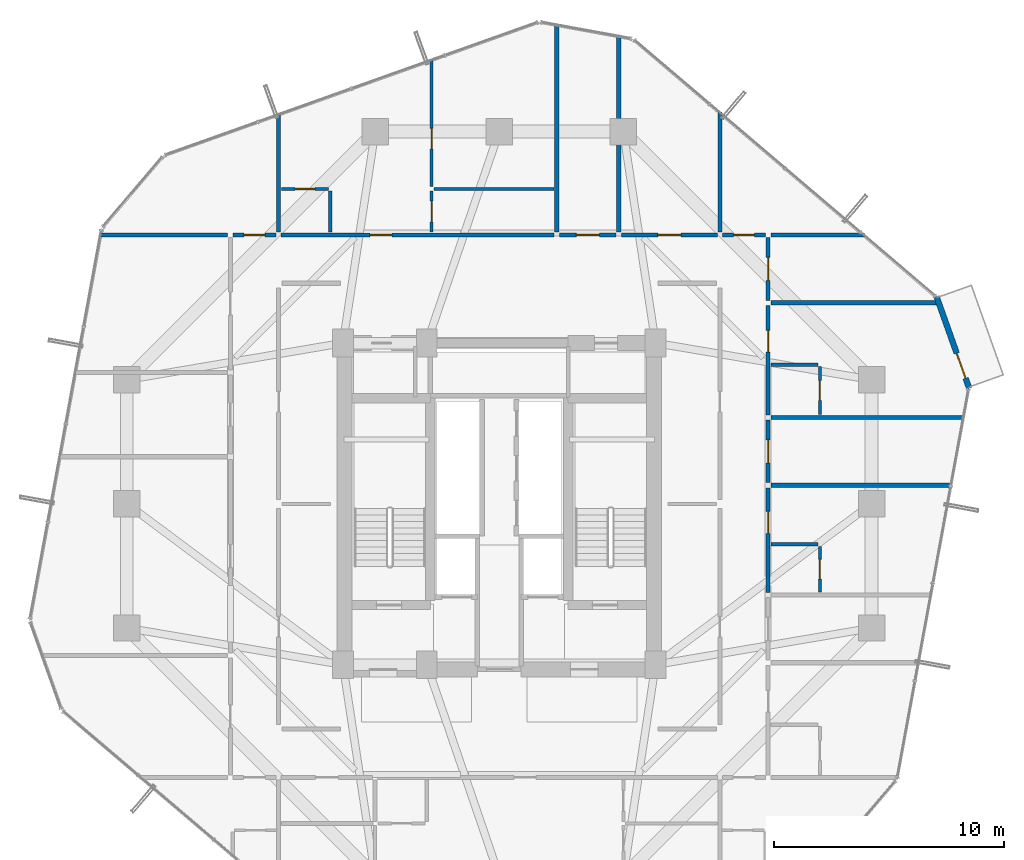
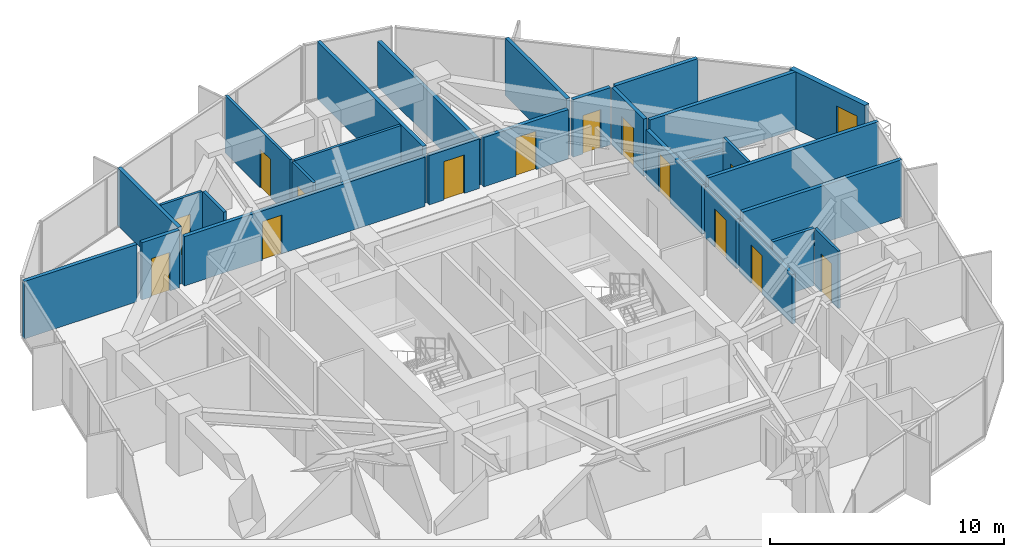
# One storey, part 30 of 33: 28 walls, 15 doors, 15 openings.
"""IFC4 building model written with IfcOpenShell, lengths in metres."""

from ifc_helpers import new_model, si_unit, direction, frame, frame_2d, origin, place, context, subcontext, project, spatial, rectangle, extrude, source, transform, mapped, material, layer, layer_set, type_object, element, fill, save


model = new_model("IFC4")

# Units and contexts
model_context = context("Model", 3, precision=1e-05, world=origin(), true_north=direction((0.0, 1.0)))
body_context = subcontext(model_context, "Body", "Model", "MODEL_VIEW")
ifc_project = project(units=[si_unit("LENGTHUNIT", "METRE"), si_unit("AREAUNIT", "SQUARE_METRE"), si_unit("VOLUMEUNIT", "CUBIC_METRE"), si_unit("PLANEANGLEUNIT", "RADIAN"), si_unit("MASSUNIT", "GRAM", prefix="KILO")], contexts=[model_context])

# Site, building, storey
site_placement = place(None, origin())
site = spatial("IfcSite", under=ifc_project, at=site_placement, CompositionType="ELEMENT")
building_placement = place(site_placement, origin())
building = spatial("IfcBuilding", under=site, at=building_placement, Name="Veraguas Prism Commons", CompositionType="ELEMENT")
storey_placement = place(building_placement, frame((0.0, 0.0, 92.699951171875)))
storey = spatial("IfcBuildingStorey", under=building, at=storey_placement, Name="L25", CompositionType="ELEMENT", Elevation=92.699951171875)

# Walls
ifc_material_1 = material(Name="Autoclaved aerated masonry block 10 MPa", Category="masonry")
ifc_layer_1 = layer(ifc_material_1, 0.179931640625, Name="Corridor and Inter-Tenancy Partition 180", Category="masonry")
ifc_layer_set_1 = layer_set([ifc_layer_1], Name="Autoclaved aerated masonry block 10 MPa")
wall_type_1 = type_object("IfcWallType", Name="Corridor and Inter-Tenancy Partition 180", PredefinedType="PARTITIONING", material=ifc_layer_set_1)
wall_1_placement = place(storey_placement, frame((14.39990234375, 35.820068359375, 0.0), z_axis=(0.0, 0.0, 1.0), x_axis=(0.0, 1.0, 0.0)))
element("IfcWall", 1, at=wall_1_placement, inside=storey, type_object=wall_type_1, Name="WL-L25-PT013", PredefinedType="PARTITIONING", context=body_context, shape_type="SweptSolid", body=[
    extrude(rectangle(XDim=5.15576171875, YDim=0.179931640625, at=frame_2d((2.577880859375, 0.0))), origin(), (0.0, 0.0, 1.0), 3.0),
])
wall_2_placement = place(storey_placement, frame((33.60009765625, 35.820068359375, 0.0), z_axis=(0.0, 0.0, 1.0), x_axis=(0.0, 1.0, 0.0)))
element("IfcWall", 2, at=wall_2_placement, inside=storey, type_object=wall_type_1, Name="WL-L25-PT014", PredefinedType="PARTITIONING", context=body_context, shape_type="SweptSolid", body=[
    extrude(rectangle(XDim=5.238037109375, YDim=0.179931640625, at=frame_2d((2.619140625, 0.0))), origin(), (0.0, 0.0, 1.0), 3.0),
])

# Wall, opening, door
wall_3_placement = place(storey_placement, frame((14.510009765625, 35.699951171875, 0.0), z_axis=(0.0, 0.0, 1.0), x_axis=(1.0, 0.0, 0.0)))
wall_3 = element("IfcWall", 3, at=wall_3_placement, inside=storey, type_object=wall_type_1, Name="WL-L25-PT015", PredefinedType="PARTITIONING", context=body_context, shape_type="SweptSolid", body=[
    extrude(rectangle(XDim=11.884033203125, YDim=0.179931640625, at=frame_2d((5.94189453125, 0.0))), origin(), (0.0, 0.0, 1.0), 2.580078125),
])
opening_1_placement = place(wall_3_placement, frame((3.868408203125, 0.0, 0.0)))
opening_1 = element("IfcOpeningElement", 4, at=opening_1_placement, cuts=wall_3, Name="Opening DR-01", PredefinedType="OPENING", context=body_context, shape_type="SweptSolid", body=[
    extrude(rectangle(XDim=0.949951171875, YDim=2.02001953125, at=frame_2d((0.47509765625, 1.010009765625))), frame((0.0, 0.099853515625, 0.0), z_axis=(0.0, -1.0, 0.0), x_axis=(1.0, 0.0, 0.0)), (0.0, 0.0, 1.0), 0.199951171875),
])
ifc_material_2 = material(Name="Anodised aluminium EN AW-6063 T6", Category="aluminium")
door_type_1 = type_object("IfcDoorType", Name="Apartment Entrance Fire Door 950x2020", OperationType="NOTDEFINED", PredefinedType="DOOR", material=ifc_material_2)
shared_shape_1 = source(origin(), body_context, "Body", "SweptSolid", [
    extrude(rectangle(XDim=0.949951171875, YDim=2.02001953125, at=frame_2d((0.47509765625, 1.010009765625))), frame((0.0, 0.02490234375, 0.0), z_axis=(0.0, -1.0, 0.0), x_axis=(1.0, 0.0, 0.0)), (0.0, 0.0, 1.0), 0.050048828125),
])
door_1_placement = place(opening_1_placement, origin())
door_1 = element("IfcDoor", 5, at=door_1_placement, inside=storey, type_object=door_type_1, Name="Flat 25B Entrance Door", OperationType="SINGLE_SWING_RIGHT", OverallHeight=2.02001953125, OverallWidth=0.949951171875, PredefinedType="DOOR", context=body_context, shape_type="MappedRepresentation", body=[
    mapped(shared_shape_1, transform((0.0, 0.0, 0.0), scale=1.0)),
])
fill(opening_1, door_1)

# Wall
wall_4_placement = place(storey_placement, frame((26.50390625, 35.820068359375, 0.0), z_axis=(0.0, 0.0, 1.0), x_axis=(0.0, 1.0, 0.0)))
element("IfcWall", 6, at=wall_4_placement, inside=storey, type_object=wall_type_1, Name="WL-L25-PT021", PredefinedType="PARTITIONING", context=body_context, shape_type="SweptSolid", body=[
    extrude(rectangle(XDim=9.052001953125, YDim=0.179931640625, at=frame_2d((4.52587890625, 0.0))), origin(), (0.0, 0.0, 1.0), 3.0),
])

# Wall, opening, door
wall_5_placement = place(storey_placement, frame((26.614013671875, 35.699951171875, 0.0), z_axis=(0.0, 0.0, 1.0), x_axis=(1.0, 0.0, 0.0)))
wall_5 = element("IfcWall", 7, at=wall_5_placement, inside=storey, type_object=wall_type_1, Name="WL-L25-PT022", PredefinedType="PARTITIONING", context=body_context, shape_type="SweptSolid", body=[
    extrude(rectangle(XDim=2.47607421875, YDim=0.179931640625, at=frame_2d((1.238037109375, 0.0))), origin(), (0.0, 0.0, 1.0), 2.580078125),
])
opening_2_placement = place(wall_5_placement, frame((0.738037109375, 0.0, 0.0)))
opening_2 = element("IfcOpeningElement", 8, at=opening_2_placement, cuts=wall_5, Name="Opening DR-13", PredefinedType="OPENING", context=body_context, shape_type="SweptSolid", body=[
    extrude(rectangle(XDim=1.0, YDim=2.010009765625, at=frame_2d((0.5, 1.0048828125))), frame((0.0, 0.099853515625, 0.0), z_axis=(0.0, -1.0, 0.0), x_axis=(1.0, 0.0, 0.0)), (0.0, 0.0, 1.0), 0.199951171875),
])
ifc_material_3 = material(Name="Steel fire-rated door assembly", Category="steel")
door_type_2 = type_object("IfcDoorType", Name="Core Accessible WC and Clinic Fire Door 1000x2010", OperationType="NOTDEFINED", PredefinedType="DOOR", material=ifc_material_3)
shared_shape_2 = source(origin(), body_context, "Body", "SweptSolid", [
    extrude(rectangle(XDim=1.0, YDim=2.010009765625, at=frame_2d((0.5, 1.0048828125))), frame((0.0, 0.02490234375, 0.0), z_axis=(0.0, -1.0, 0.0), x_axis=(1.0, 0.0, 0.0)), (0.0, 0.0, 1.0), 0.050048828125),
])
door_2_placement = place(opening_2_placement, origin())
door_2 = element("IfcDoor", 9, at=door_2_placement, inside=storey, type_object=door_type_2, Name="Residents Study Room Door", OperationType="SINGLE_SWING_RIGHT", OverallHeight=2.010009765625, OverallWidth=1.0, PredefinedType="DOOR", context=body_context, shape_type="MappedRepresentation", body=[
    mapped(shared_shape_2, transform((0.0, 0.0, 0.0), scale=1.0)),
])
fill(opening_2, door_2)

wall_6_placement = place(storey_placement, frame((29.31005859375, 35.699951171875, 0.0), z_axis=(0.0, 0.0, 1.0), x_axis=(1.0, 0.0, 0.0)))
wall_6 = element("IfcWall", 10, at=wall_6_placement, inside=storey, type_object=wall_type_1, Name="WL-L25-PT023", PredefinedType="PARTITIONING", context=body_context, shape_type="SweptSolid", body=[
    extrude(rectangle(XDim=4.179931640625, YDim=0.179931640625, at=frame_2d((2.08984375, 0.0))), origin(), (0.0, 0.0, 1.0), 2.580078125),
])
opening_3_placement = place(wall_6_placement, frame((1.590087890625, 0.0, 0.0)))
opening_3 = element("IfcOpeningElement", 11, at=opening_3_placement, cuts=wall_6, Name="Opening DR-13", PredefinedType="OPENING", context=body_context, shape_type="SweptSolid", body=[
    extrude(rectangle(XDim=1.0, YDim=2.010009765625, at=frame_2d((0.5, 1.0048828125))), frame((0.0, 0.099853515625, 0.0), z_axis=(0.0, -1.0, 0.0), x_axis=(1.0, 0.0, 0.0)), (0.0, 0.0, 1.0), 0.199951171875),
])
door_3_placement = place(opening_3_placement, origin())
door_3 = element("IfcDoor", 12, at=door_3_placement, inside=storey, type_object=door_type_2, Name="Co-op Store N Door", OperationType="SINGLE_SWING_LEFT", OverallHeight=2.010009765625, OverallWidth=1.0, PredefinedType="DOOR", context=body_context, shape_type="MappedRepresentation", body=[
    mapped(shared_shape_2, transform((0.0, 0.0, 0.0), scale=1.0)),
])
fill(opening_3, door_3)

# Walls
wall_7_placement = place(storey_placement, frame((29.199951171875, 35.820068359375, 0.0), z_axis=(0.0, 0.0, 1.0), x_axis=(0.0, 1.0, 0.0)))
element("IfcWall", 13, at=wall_7_placement, inside=storey, type_object=wall_type_1, Name="WL-L25-PT024", PredefinedType="PARTITIONING", context=body_context, shape_type="SweptSolid", body=[
    extrude(rectangle(XDim=8.55712890625, YDim=0.179931640625, at=frame_2d((4.278564453125, 0.0))), origin(), (0.0, 0.0, 1.0), 2.3779296875),
])
wall_8_placement = place(storey_placement, frame((12.179931640625, 35.699951171875, 0.0), z_axis=(0.0, 0.0, 1.0), x_axis=(-1.0, 0.0, 0.0)))
element("IfcWall", 14, at=wall_8_placement, inside=storey, type_object=wall_type_1, Name="WL-L25-PT026", PredefinedType="PARTITIONING", context=body_context, shape_type="SweptSolid", body=[
    extrude(rectangle(XDim=5.56591796875, YDim=0.179931640625, at=frame_2d((2.782958984375, 0.0))), origin(), (0.0, 0.0, 1.0), 3.0),
])
wall_9_placement = place(storey_placement, frame((35.820068359375, 35.699951171875, 0.0), z_axis=(0.0, 0.0, 1.0), x_axis=(1.0, 0.0, 0.0)))
element("IfcWall", 15, at=wall_9_placement, inside=storey, type_object=wall_type_1, Name="WL-L25-PT035", PredefinedType="PARTITIONING", context=body_context, shape_type="SweptSolid", body=[
    extrude(rectangle(XDim=4.075927734375, YDim=0.179931640625, at=frame_2d((2.0380859375, 0.0))), origin(), (0.0, 0.0, 1.0), 3.0),
])

# Wall, opening, door
wall_10_placement = place(storey_placement, frame((35.699951171875, 24.922119140625, 0.0), z_axis=(0.0, 0.0, 1.0), x_axis=(0.0, 1.0, 0.0)))
wall_10 = element("IfcWall", 16, at=wall_10_placement, inside=storey, type_object=wall_type_1, Name="WL-L25-PT042", PredefinedType="PARTITIONING", context=body_context, shape_type="SweptSolid", body=[
    extrude(rectangle(XDim=2.72998046875, YDim=0.179931640625, at=frame_2d((1.364990234375, 0.0))), origin(), (0.0, 0.0, 1.0), 2.580078125),
])
opening_4_placement = place(wall_10_placement, frame((0.864990234375, 0.0, 0.0)))
opening_4 = element("IfcOpeningElement", 17, at=opening_4_placement, cuts=wall_10, Name="Opening DR-13", PredefinedType="OPENING", context=body_context, shape_type="SweptSolid", body=[
    extrude(rectangle(XDim=1.0, YDim=2.010009765625, at=frame_2d((0.5, 1.0048828125))), frame((0.0, 0.099853515625, 0.0), z_axis=(0.0, -1.0, 0.0), x_axis=(1.0, 0.0, 0.0)), (0.0, 0.0, 1.0), 0.199951171875),
])
door_4_placement = place(opening_4_placement, origin())
door_4 = element("IfcDoor", 18, at=door_4_placement, inside=storey, type_object=door_type_2, Name="Quiet Study E Door", OperationType="SINGLE_SWING_LEFT", OverallHeight=2.010009765625, OverallWidth=1.0, PredefinedType="DOOR", context=body_context, shape_type="MappedRepresentation", body=[
    mapped(shared_shape_2, transform((0.0, 0.0, 0.0), scale=1.0)),
])
fill(opening_4, door_4)

# Wall
wall_11_placement = place(storey_placement, frame((35.820068359375, 24.81201171875, 0.0), z_axis=(0.0, 0.0, 1.0), x_axis=(1.0, 0.0, 0.0)))
element("IfcWall", 19, at=wall_11_placement, inside=storey, type_object=wall_type_1, Name="WL-L25-PT043", PredefinedType="PARTITIONING", context=body_context, shape_type="SweptSolid", body=[
    extrude(rectangle(XDim=7.8623046875, YDim=0.179931640625, at=frame_2d((3.93115234375, 0.0))), origin(), (0.0, 0.0, 1.0), 3.0),
])

# Wall, opening, door
wall_12_placement = place(storey_placement, frame((35.699951171875, 20.14794921875, 0.0), z_axis=(0.0, 0.0, 1.0), x_axis=(0.0, 1.0, 0.0)))
wall_12 = element("IfcWall", 20, at=wall_12_placement, inside=storey, type_object=wall_type_1, Name="WL-L25-PT044", PredefinedType="PARTITIONING", context=body_context, shape_type="SweptSolid", body=[
    extrude(rectangle(XDim=4.553955078125, YDim=0.179931640625, at=frame_2d((2.27685546875, 0.0))), origin(), (0.0, 0.0, 1.0), 2.580078125),
])
opening_5_placement = place(wall_12_placement, frame((2.571044921875, 0.0, 0.0)))
opening_5 = element("IfcOpeningElement", 21, at=opening_5_placement, cuts=wall_12, Name="Opening DR-01", PredefinedType="OPENING", context=body_context, shape_type="SweptSolid", body=[
    extrude(rectangle(XDim=0.949951171875, YDim=2.02001953125, at=frame_2d((0.47509765625, 1.010009765625))), frame((0.0, 0.099853515625, 0.0), z_axis=(0.0, -1.0, 0.0), x_axis=(1.0, 0.0, 0.0)), (0.0, 0.0, 1.0), 0.199951171875),
])
door_5_placement = place(opening_5_placement, origin())
door_5 = element("IfcDoor", 22, at=door_5_placement, inside=storey, type_object=door_type_1, Name="Studio 25D Entrance Door", OperationType="SINGLE_SWING_RIGHT", OverallHeight=2.02001953125, OverallWidth=0.949951171875, PredefinedType="DOOR", context=body_context, shape_type="MappedRepresentation", body=[
    mapped(shared_shape_1, transform((0.0, 0.0, 0.0), scale=1.0)),
])
fill(opening_5, door_5)

# Wall
wall_13_placement = place(storey_placement, frame((35.820068359375, 27.761962890625, 0.0), z_axis=(0.0, 0.0, 1.0), x_axis=(1.0, 0.0, 0.0)))
element("IfcWall", 23, at=wall_13_placement, inside=storey, type_object=wall_type_1, Name="WL-L25-PT047", PredefinedType="PARTITIONING", context=body_context, shape_type="SweptSolid", body=[
    extrude(rectangle(XDim=8.40380859375, YDim=0.179931640625, at=frame_2d((4.201904296875, 0.0))), origin(), (0.0, 0.0, 1.0), 3.0),
])

# Wall, opening, door
wall_14_placement = place(storey_placement, frame((35.699951171875, 32.860107421875, 0.0), z_axis=(0.0, 0.0, 1.0), x_axis=(0.0, 1.0, 0.0)))
wall_14 = element("IfcWall", 24, at=wall_14_placement, inside=storey, type_object=wall_type_1, Name="WL-L25-PT048", PredefinedType="PARTITIONING", context=body_context, shape_type="SweptSolid", body=[
    extrude(rectangle(XDim=2.72998046875, YDim=0.179931640625, at=frame_2d((1.364990234375, 0.0))), origin(), (0.0, 0.0, 1.0), 3.0),
])
opening_6_placement = place(wall_14_placement, frame((0.864990234375, 0.0, 0.0)))
opening_6 = element("IfcOpeningElement", 25, at=opening_6_placement, cuts=wall_14, Name="Opening DR-13", PredefinedType="OPENING", context=body_context, shape_type="SweptSolid", body=[
    extrude(rectangle(XDim=1.0, YDim=2.010009765625, at=frame_2d((0.5, 1.0048828125))), frame((0.0, 0.099853515625, 0.0), z_axis=(0.0, -1.0, 0.0), x_axis=(1.0, 0.0, 0.0)), (0.0, 0.0, 1.0), 0.199951171875),
])
door_6_placement = place(opening_6_placement, origin())
door_6 = element("IfcDoor", 26, at=door_6_placement, inside=storey, type_object=door_type_2, Name="Quiet Study E Door", OperationType="SINGLE_SWING_RIGHT", OverallHeight=2.010009765625, OverallWidth=1.0, PredefinedType="DOOR", context=body_context, shape_type="MappedRepresentation", body=[
    mapped(shared_shape_2, transform((0.0, 0.0, 0.0), scale=1.0)),
])
fill(opening_6, door_6)

# Wall
wall_15_placement = place(storey_placement, frame((35.820068359375, 32.75, 0.0), z_axis=(0.0, 0.0, 1.0), x_axis=(1.0, 0.0, 0.0)))
element("IfcWall", 27, at=wall_15_placement, inside=storey, type_object=wall_type_1, Name="WL-L25-PT049", PredefinedType="PARTITIONING", context=body_context, shape_type="SweptSolid", body=[
    extrude(rectangle(XDim=7.3359375, YDim=0.179931640625, at=frame_2d((3.66796875, 0.0))), origin(), (0.0, 0.0, 1.0), 3.0),
])

# Wall, opening, door
wall_16_placement = place(storey_placement, frame((35.699951171875, 27.8720703125, 0.0), z_axis=(0.0, 0.0, 1.0), x_axis=(0.0, 1.0, 0.0)))
wall_16 = element("IfcWall", 28, at=wall_16_placement, inside=storey, type_object=wall_type_1, Name="WL-L25-PT050", PredefinedType="PARTITIONING", context=body_context, shape_type="SweptSolid", body=[
    extrude(rectangle(XDim=4.767822265625, YDim=0.179931640625, at=frame_2d((2.3837890625, 0.0))), origin(), (0.0, 0.0, 1.0), 2.580078125),
])
opening_7_placement = place(wall_16_placement, frame((2.729248046875, 0.0, 0.0)))
opening_7 = element("IfcOpeningElement", 29, at=opening_7_placement, cuts=wall_16, Name="Opening DR-01", PredefinedType="OPENING", context=body_context, shape_type="SweptSolid", body=[
    extrude(rectangle(XDim=0.949951171875, YDim=2.02001953125, at=frame_2d((0.47509765625, 1.010009765625))), frame((0.0, 0.099853515625, 0.0), z_axis=(0.0, -1.0, 0.0), x_axis=(1.0, 0.0, 0.0)), (0.0, 0.0, 1.0), 0.199951171875),
])
door_7_placement = place(opening_7_placement, origin())
door_7 = element("IfcDoor", 30, at=door_7_placement, inside=storey, type_object=door_type_1, Name="Studio 25E Entrance Door", OperationType="SINGLE_SWING_LEFT", OverallHeight=2.02001953125, OverallWidth=0.949951171875, PredefinedType="DOOR", context=body_context, shape_type="MappedRepresentation", body=[
    mapped(shared_shape_1, transform((0.0, 0.0, 0.0), scale=1.0)),
])
fill(opening_7, door_7)

wall_17_placement = place(storey_placement, frame((12.419921875, 35.699951171875, 0.0), z_axis=(0.0, 0.0, 1.0), x_axis=(1.0, 0.0, 0.0)))
wall_17 = element("IfcWall", 31, at=wall_17_placement, inside=storey, type_object=wall_type_1, Name="WL-L25-PT061", PredefinedType="PARTITIONING", context=body_context, shape_type="SweptSolid", body=[
    extrude(rectangle(XDim=1.860107421875, YDim=0.179931640625, at=frame_2d((0.93017578125, 0.0))), origin(), (0.0, 0.0, 1.0), 3.0),
])
opening_8_placement = place(wall_17_placement, frame((0.47998046875, 0.0, 0.0)))
opening_8 = element("IfcOpeningElement", 32, at=opening_8_placement, cuts=wall_17, Name="Opening DR-14", PredefinedType="OPENING", context=body_context, shape_type="SweptSolid", body=[
    extrude(rectangle(XDim=0.89990234375, YDim=2.010009765625, at=frame_2d((0.449951171875, 1.0048828125))), frame((0.0, 0.099853515625, 0.0), z_axis=(0.0, -1.0, 0.0), x_axis=(1.0, 0.0, 0.0)), (0.0, 0.0, 1.0), 0.199951171875),
])
door_type_3 = type_object("IfcDoorType", Name="Core Service Room Fire Door 900x2010", OperationType="NOTDEFINED", PredefinedType="DOOR", material=ifc_material_3)
shared_shape_3 = source(origin(), body_context, "Body", "SweptSolid", [
    extrude(rectangle(XDim=0.89990234375, YDim=2.010009765625, at=frame_2d((0.449951171875, 1.0048828125))), frame((0.0, 0.02490234375, 0.0), z_axis=(0.0, -1.0, 0.0), x_axis=(1.0, 0.0, 0.0)), (0.0, 0.0, 1.0), 0.050048828125),
])
door_8_placement = place(opening_8_placement, origin())
door_8 = element("IfcDoor", 33, at=door_8_placement, inside=storey, type_object=door_type_3, Name="Residents Corner Study Room NW Door", OperationType="SINGLE_SWING_LEFT", OverallHeight=2.010009765625, OverallWidth=0.89990234375, PredefinedType="DOOR", context=body_context, shape_type="MappedRepresentation", body=[
    mapped(shared_shape_3, transform((0.0, 0.0, 0.0), scale=1.0)),
])
fill(opening_8, door_8)

wall_18_placement = place(storey_placement, frame((33.719970703125, 35.699951171875, 0.0), z_axis=(0.0, 0.0, 1.0), x_axis=(1.0, 0.0, 0.0)))
wall_18 = element("IfcWall", 34, at=wall_18_placement, inside=storey, type_object=wall_type_1, Name="WL-L25-PT062", PredefinedType="PARTITIONING", context=body_context, shape_type="SweptSolid", body=[
    extrude(rectangle(XDim=1.860107421875, YDim=0.179931640625, at=frame_2d((0.93017578125, 0.0))), origin(), (0.0, 0.0, 1.0), 3.0),
])
opening_9_placement = place(wall_18_placement, frame((0.47998046875, 0.0, 0.0)))
opening_9 = element("IfcOpeningElement", 35, at=opening_9_placement, cuts=wall_18, Name="Opening DR-14", PredefinedType="OPENING", context=body_context, shape_type="SweptSolid", body=[
    extrude(rectangle(XDim=0.89990234375, YDim=2.010009765625, at=frame_2d((0.449951171875, 1.0048828125))), frame((0.0, 0.099853515625, 0.0), z_axis=(0.0, -1.0, 0.0), x_axis=(1.0, 0.0, 0.0)), (0.0, 0.0, 1.0), 0.199951171875),
])
door_9_placement = place(opening_9_placement, origin())
door_9 = element("IfcDoor", 36, at=door_9_placement, inside=storey, type_object=door_type_3, Name="Shared Laundry Room NE Door", OperationType="SINGLE_SWING_RIGHT", OverallHeight=2.010009765625, OverallWidth=0.89990234375, PredefinedType="DOOR", context=body_context, shape_type="MappedRepresentation", body=[
    mapped(shared_shape_3, transform((0.0, 0.0, 0.0), scale=1.0)),
])
fill(opening_9, door_9)

ifc_material_4 = material(Name="Precast concrete C40/50", Category="concrete")
ifc_layer_2 = layer(ifc_material_4, 0.25, Name="External Loggia and Portal Wall 250", Category="concrete")
ifc_layer_set_2 = layer_set([ifc_layer_2], Name="Precast concrete C40/50")
wall_type_2 = type_object("IfcWallType", Name="External Loggia and Portal Wall 250", PredefinedType="SOLIDWALL", material=ifc_layer_set_2)
wall_19_placement = place(storey_placement, frame((44.447021484375, 29.0341796875, 0.0), z_axis=(0.0, 0.0, 1.0), x_axis=(-0.335437454249, 0.942062478972, 0.0)))
wall_19 = element("IfcWall", 37, at=wall_19_placement, inside=storey, type_object=wall_type_2, Name="Corner Loggia Wall L25-C1", PredefinedType="SOLIDWALL", context=body_context, shape_type="SweptSolid", body=[
    extrude(rectangle(XDim=4.233154296875, YDim=0.25, at=frame_2d((2.11669921875, 0.0))), origin(), (0.0, 0.0, 1.0), 3.0),
])
opening_10_placement = place(wall_19_placement, frame((0.4599609375, 0.0, 0.0)))
opening_10 = element("IfcOpeningElement", 38, at=opening_10_placement, cuts=wall_19, Name="Opening DR-10", PredefinedType="OPENING", context=body_context, shape_type="SweptSolid", body=[
    extrude(rectangle(XDim=1.14990234375, YDim=2.25, at=frame_2d((0.574951171875, 1.125))), frame((0.0, 0.135009765625, 0.0), z_axis=(0.0, -1.0, 0.0), x_axis=(1.0, 0.0, 0.0)), (0.0, 0.0, 1.0), 0.27001953125),
])
door_type_4 = type_object("IfcDoorType", Name="Glazed Loggia and Terrace Door 1150x2250", OperationType="NOTDEFINED", PredefinedType="DOOR", material=ifc_material_2)
shared_shape_4 = source(origin(), body_context, "Body", "SweptSolid", [
    extrude(rectangle(XDim=1.14990234375, YDim=2.25, at=frame_2d((0.574951171875, 1.125))), frame((0.0, 0.02490234375, 0.0), z_axis=(0.0, -1.0, 0.0), x_axis=(1.0, 0.0, 0.0)), (0.0, 0.0, 1.0), 0.050048828125),
])
door_10_placement = place(opening_10_placement, frame((1.14990234375, 0.0, 0.0), z_axis=(0.0, 0.0, 1.0), x_axis=(-1.0, 0.0, 0.0)))
door_10 = element("IfcDoor", 39, at=door_10_placement, inside=storey, type_object=door_type_4, Name="Recessed Loggia Door L25-C1", OperationType="SINGLE_SWING_LEFT", OverallHeight=2.25, OverallWidth=1.14990234375, PredefinedType="DOOR", context=body_context, shape_type="MappedRepresentation", body=[
    mapped(shared_shape_4, transform((0.0, 0.0, 0.0), scale=1.0)),
])
fill(opening_10, door_10)

ifc_material_5 = material(Name="Lightweight acoustic gypsum board")
ifc_layer_3 = layer(ifc_material_5, 0.125, Name="Internal Apartment Room Partition 125")
ifc_layer_set_3 = layer_set([ifc_layer_3], Name="Lightweight acoustic gypsum board")
wall_type_3 = type_object("IfcWallType", Name="Internal Apartment Room Partition 125", PredefinedType="PARTITIONING", material=ifc_layer_set_3)
wall_20_placement = place(storey_placement, frame((14.52001953125, 37.699951171875, 0.0), z_axis=(0.0, 0.0, 1.0), x_axis=(1.0, 0.0, 0.0)))
wall_20 = element("IfcWall", 40, at=wall_20_placement, inside=storey, type_object=wall_type_3, Name="WL-L25-PT017", PredefinedType="PARTITIONING", context=body_context, shape_type="SweptSolid", body=[
    extrude(rectangle(XDim=2.050048828125, YDim=0.125, at=frame_2d((1.02490234375, 0.0))), origin(), (0.0, 0.0, 1.0), 3.0),
])
opening_11_placement = place(wall_20_placement, frame((0.594970703125, 0.0, 0.0)))
opening_11 = element("IfcOpeningElement", 41, at=opening_11_placement, cuts=wall_20, Name="Opening DR-03", PredefinedType="OPENING", context=body_context, shape_type="SweptSolid", body=[
    extrude(rectangle(XDim=0.860107421875, YDim=2.010009765625, at=frame_2d((0.43017578125, 1.0048828125))), frame((0.0, 0.072509765625, 0.0), z_axis=(0.0, -1.0, 0.0), x_axis=(1.0, 0.0, 0.0)), (0.0, 0.0, 1.0), 0.14501953125),
])
ifc_material_6 = material(Name="Timber moisture-resistant leaf", Category="wood")
door_type_5 = type_object("IfcDoorType", Name="Internal Bathroom Door 860x2010", OperationType="NOTDEFINED", PredefinedType="DOOR", material=ifc_material_6)
shared_shape_5 = source(origin(), body_context, "Body", "SweptSolid", [
    extrude(rectangle(XDim=0.860107421875, YDim=2.010009765625, at=frame_2d((0.43017578125, 1.0048828125))), frame((0.0, 0.02490234375, 0.0), z_axis=(0.0, -1.0, 0.0), x_axis=(1.0, 0.0, 0.0)), (0.0, 0.0, 1.0), 0.050048828125),
])
door_11_placement = place(opening_11_placement, origin())
door_11 = element("IfcDoor", 42, at=door_11_placement, inside=storey, type_object=door_type_5, Name="Flat 25B Bathroom Door", OperationType="SINGLE_SWING_LEFT", OverallHeight=2.010009765625, OverallWidth=0.860107421875, PredefinedType="DOOR", context=body_context, shape_type="MappedRepresentation", body=[
    mapped(shared_shape_5, transform((0.0, 0.0, 0.0), scale=1.0)),
])
fill(opening_11, door_11)

wall_21_placement = place(storey_placement, frame((21.056884765625, 35.820068359375, 0.0), z_axis=(0.0, 0.0, 1.0), x_axis=(0.0, 1.0, 0.0)))
wall_21 = element("IfcWall", 43, at=wall_21_placement, inside=storey, type_object=wall_type_3, Name="WL-L25-PT018", PredefinedType="PARTITIONING", context=body_context, shape_type="SweptSolid", body=[
    extrude(rectangle(XDim=1.800048828125, YDim=0.125, at=frame_2d((0.89990234375, 0.0))), origin(), (0.0, 0.0, 1.0), 3.0),
])
opening_12_placement = place(wall_21_placement, frame((0.449951171875, 0.0, 0.0)))
opening_12 = element("IfcOpeningElement", 44, at=opening_12_placement, cuts=wall_21, Name="Opening DR-02", PredefinedType="OPENING", context=body_context, shape_type="SweptSolid", body=[
    extrude(rectangle(XDim=0.89990234375, YDim=2.010009765625, at=frame_2d((0.449951171875, 1.0048828125))), frame((0.0, 0.072509765625, 0.0), z_axis=(0.0, -1.0, 0.0), x_axis=(1.0, 0.0, 0.0)), (0.0, 0.0, 1.0), 0.14501953125),
])
ifc_material_7 = material(Name="Timber solid core hardwood", Category="wood")
door_type_6 = type_object("IfcDoorType", Name="Internal Habitable Room Door 900x2010", OperationType="NOTDEFINED", PredefinedType="DOOR", material=ifc_material_7)
door_12_placement = place(opening_12_placement, origin())
door_12 = element("IfcDoor", 45, at=door_12_placement, inside=storey, type_object=door_type_6, Name="Flat 25B Kitchen Door", OperationType="SINGLE_SWING_RIGHT", OverallHeight=2.010009765625, OverallWidth=0.89990234375, PredefinedType="DOOR", context=body_context, shape_type="MappedRepresentation", body=[
    mapped(shared_shape_3, transform((0.0, 0.0, 0.0), scale=1.0)),
])
fill(opening_12, door_12)

# Wall
wall_22_placement = place(storey_placement, frame((21.156982421875, 37.699951171875, 0.0), z_axis=(0.0, 0.0, 1.0), x_axis=(1.0, 0.0, 0.0)))
element("IfcWall", 46, at=wall_22_placement, inside=storey, type_object=wall_type_3, Name="WL-L25-PT019", PredefinedType="PARTITIONING", context=body_context, shape_type="SweptSolid", body=[
    extrude(rectangle(XDim=5.22705078125, YDim=0.125, at=frame_2d((2.613525390625, 0.0))), origin(), (0.0, 0.0, 1.0), 3.0),
])

# Wall, opening, door
wall_23_placement = place(storey_placement, frame((21.056884765625, 37.800048828125, 0.0), z_axis=(0.0, 0.0, 1.0), x_axis=(0.0, 1.0, 0.0)))
wall_23 = element("IfcWall", 47, at=wall_23_placement, inside=storey, type_object=wall_type_3, Name="WL-L25-PT020", PredefinedType="PARTITIONING", context=body_context, shape_type="SweptSolid", body=[
    extrude(rectangle(XDim=5.546142578125, YDim=0.125, at=frame_2d((2.77294921875, 0.0))), origin(), (0.0, 0.0, 1.0), 3.0),
])
opening_13_placement = place(wall_23_placement, frame((1.643798828125, 0.0, 0.0)))
opening_13 = element("IfcOpeningElement", 48, at=opening_13_placement, cuts=wall_23, Name="Opening DR-02", PredefinedType="OPENING", context=body_context, shape_type="SweptSolid", body=[
    extrude(rectangle(XDim=0.89990234375, YDim=2.010009765625, at=frame_2d((0.449951171875, 1.0048828125))), frame((0.0, 0.072509765625, 0.0), z_axis=(0.0, -1.0, 0.0), x_axis=(1.0, 0.0, 0.0)), (0.0, 0.0, 1.0), 0.14501953125),
])
door_13_placement = place(opening_13_placement, origin())
door_13 = element("IfcDoor", 49, at=door_13_placement, inside=storey, type_object=door_type_6, Name="Flat 25B Bedroom 1 Door", OperationType="SINGLE_SWING_LEFT", OverallHeight=2.010009765625, OverallWidth=0.89990234375, PredefinedType="DOOR", context=body_context, shape_type="MappedRepresentation", body=[
    mapped(shared_shape_3, transform((0.0, 0.0, 0.0), scale=1.0)),
])
fill(opening_13, door_13)

wall_24_placement = place(storey_placement, frame((37.949951171875, 20.157958984375, 0.0), z_axis=(0.0, 0.0, 1.0), x_axis=(0.0, 1.0, 0.0)))
wall_24 = element("IfcWall", 50, at=wall_24_placement, inside=storey, type_object=wall_type_3, Name="WL-L25-PT046", PredefinedType="PARTITIONING", context=body_context, shape_type="SweptSolid", body=[
    extrude(rectangle(XDim=1.99609375, YDim=0.125, at=frame_2d((0.998046875, 0.0))), origin(), (0.0, 0.0, 1.0), 3.0),
])
opening_14_placement = place(wall_24_placement, frame((0.568115234375, 0.0, 0.0)))
opening_14 = element("IfcOpeningElement", 51, at=opening_14_placement, cuts=wall_24, Name="Opening DR-03", PredefinedType="OPENING", context=body_context, shape_type="SweptSolid", body=[
    extrude(rectangle(XDim=0.860107421875, YDim=2.010009765625, at=frame_2d((0.43017578125, 1.0048828125))), frame((0.0, 0.072509765625, 0.0), z_axis=(0.0, -1.0, 0.0), x_axis=(1.0, 0.0, 0.0)), (0.0, 0.0, 1.0), 0.14501953125),
])
door_14_placement = place(opening_14_placement, origin())
door_14 = element("IfcDoor", 52, at=door_14_placement, inside=storey, type_object=door_type_5, Name="Studio 25D Bathroom Door", OperationType="SINGLE_SWING_LEFT", OverallHeight=2.010009765625, OverallWidth=0.860107421875, PredefinedType="DOOR", context=body_context, shape_type="MappedRepresentation", body=[
    mapped(shared_shape_5, transform((0.0, 0.0, 0.0), scale=1.0)),
])
fill(opening_14, door_14)

wall_25_placement = place(storey_placement, frame((37.949951171875, 27.882080078125, 0.0), z_axis=(0.0, 0.0, 1.0), x_axis=(0.0, 1.0, 0.0)))
wall_25 = element("IfcWall", 53, at=wall_25_placement, inside=storey, type_object=wall_type_3, Name="WL-L25-PT052", PredefinedType="PARTITIONING", context=body_context, shape_type="SweptSolid", body=[
    extrude(rectangle(XDim=2.093994140625, YDim=0.125, at=frame_2d((1.046875, 0.0))), origin(), (0.0, 0.0, 1.0), 3.0),
])
opening_15_placement = place(wall_25_placement, frame((0.616943359375, 0.0, 0.0)))
opening_15 = element("IfcOpeningElement", 54, at=opening_15_placement, cuts=wall_25, Name="Opening DR-03", PredefinedType="OPENING", context=body_context, shape_type="SweptSolid", body=[
    extrude(rectangle(XDim=0.860107421875, YDim=2.010009765625, at=frame_2d((0.43017578125, 1.0048828125))), frame((0.0, 0.072509765625, 0.0), z_axis=(0.0, -1.0, 0.0), x_axis=(1.0, 0.0, 0.0)), (0.0, 0.0, 1.0), 0.14501953125),
])
door_15_placement = place(opening_15_placement, origin())
door_15 = element("IfcDoor", 55, at=door_15_placement, inside=storey, type_object=door_type_5, Name="Studio 25E Bathroom Door", OperationType="SINGLE_SWING_RIGHT", OverallHeight=2.010009765625, OverallWidth=0.860107421875, PredefinedType="DOOR", context=body_context, shape_type="MappedRepresentation", body=[
    mapped(shared_shape_5, transform((0.0, 0.0, 0.0), scale=1.0)),
])
fill(opening_15, door_15)

# Walls
ifc_layer_4 = layer(ifc_material_5, 0.14990234375, Name="Wet Room and Clinic Acoustic Partition 150")
ifc_layer_set_4 = layer_set([ifc_layer_4], Name="Lightweight acoustic gypsum board")
wall_type_4 = type_object("IfcWallType", Name="Wet Room and Clinic Acoustic Partition 150", PredefinedType="PARTITIONING", material=ifc_layer_set_4)
wall_26_placement = place(storey_placement, frame((16.64990234375, 35.820068359375, 0.0), z_axis=(0.0, 0.0, 1.0), x_axis=(0.0, 1.0, 0.0)))
element("IfcWall", 56, at=wall_26_placement, inside=storey, type_object=wall_type_4, Name="WL-L25-PT016", PredefinedType="PARTITIONING", context=body_context, shape_type="SweptSolid", body=[
    extrude(rectangle(XDim=1.800048828125, YDim=0.14990234375, at=frame_2d((0.89990234375, 0.0))), origin(), (0.0, 0.0, 1.0), 3.0),
])
wall_27_placement = place(storey_placement, frame((35.820068359375, 22.23388671875, 0.0), z_axis=(0.0, 0.0, 1.0), x_axis=(1.0, 0.0, 0.0)))
element("IfcWall", 57, at=wall_27_placement, inside=storey, type_object=wall_type_4, Name="WL-L25-PT045", PredefinedType="PARTITIONING", context=body_context, shape_type="SweptSolid", body=[
    extrude(rectangle(XDim=2.050048828125, YDim=0.14990234375, at=frame_2d((1.02490234375, 0.0))), origin(), (0.0, 0.0, 1.0), 3.0),
])
wall_28_placement = place(storey_placement, frame((35.820068359375, 30.055908203125, 0.0), z_axis=(0.0, 0.0, 1.0), x_axis=(1.0, 0.0, 0.0)))
element("IfcWall", 58, at=wall_28_placement, inside=storey, type_object=wall_type_4, Name="WL-L25-PT051", PredefinedType="PARTITIONING", context=body_context, shape_type="SweptSolid", body=[
    extrude(rectangle(XDim=2.050048828125, YDim=0.14990234375, at=frame_2d((1.02490234375, 0.0))), origin(), (0.0, 0.0, 1.0), 2.3779296875),
])

save(model, "model.ifc")
